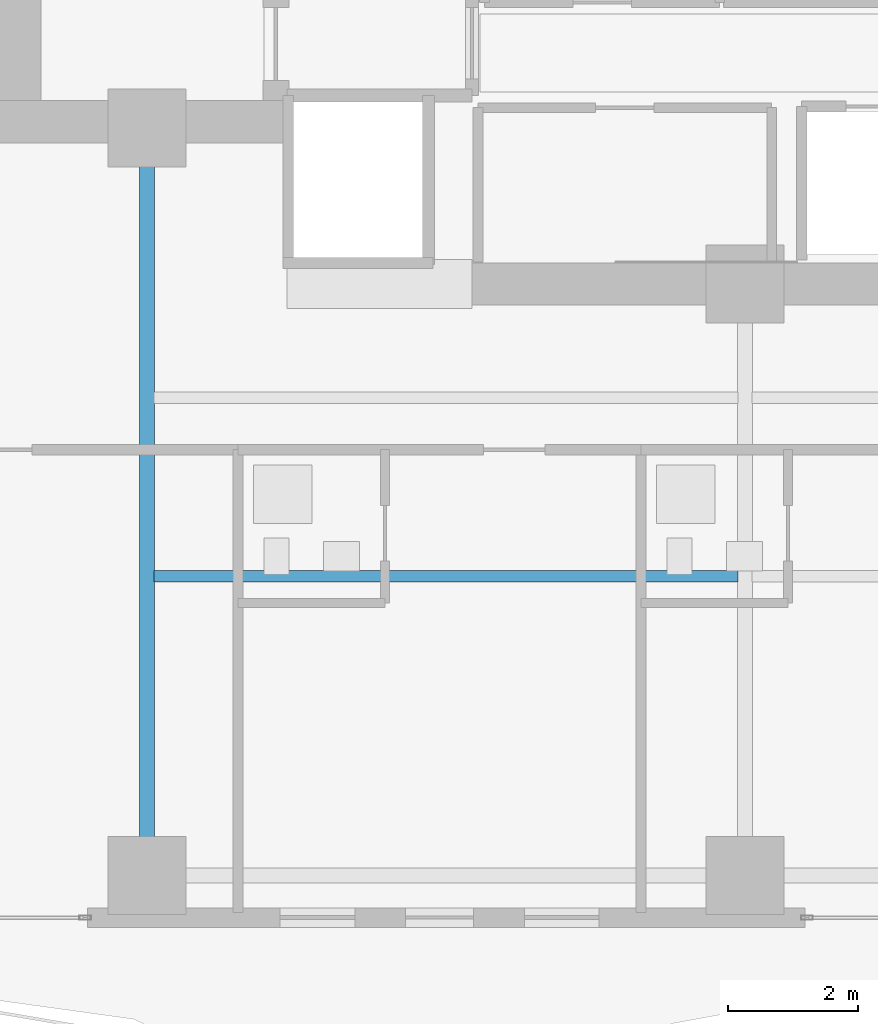
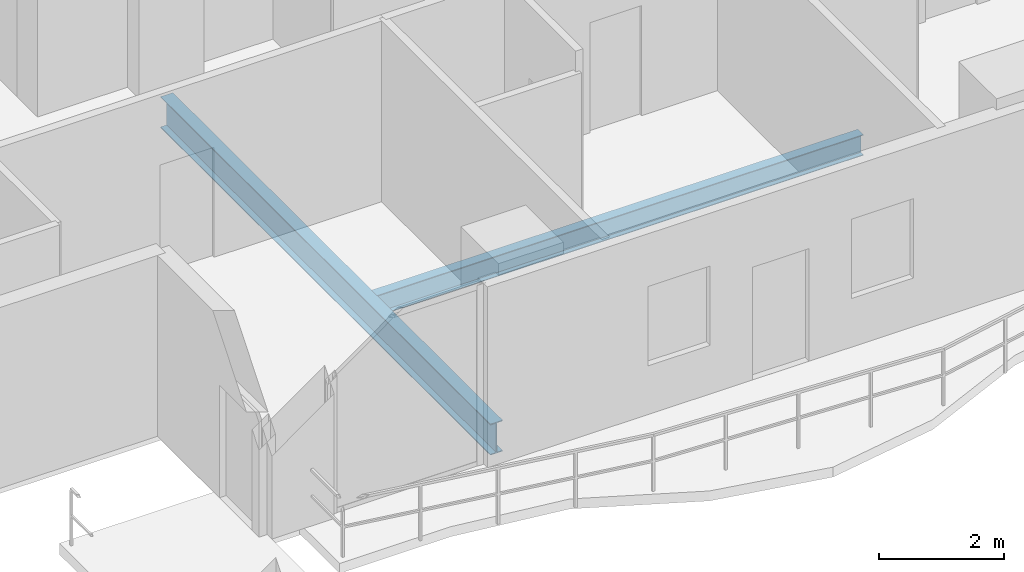
# One storey, part 3 of 32: 2 beams.
"""IFC4 building model written with IfcOpenShell, lengths in metres."""

from ifc_helpers import new_model, si_unit, direction, frame, origin, origin_2d, place, context, subcontext, project, spatial, i_section, extrude, material, material_profile, profile_set, type_object, element, save


model = new_model("IFC4")

# Units and contexts
model_context = context("Model", 3, precision=1e-05, world=origin(), true_north=direction((0.0, 1.0)))
body_context = subcontext(model_context, "Body", "Model", "MODEL_VIEW")
ifc_project = project(units=[si_unit("LENGTHUNIT", "METRE"), si_unit("AREAUNIT", "SQUARE_METRE"), si_unit("VOLUMEUNIT", "CUBIC_METRE"), si_unit("PLANEANGLEUNIT", "RADIAN"), si_unit("MASSUNIT", "GRAM", prefix="KILO")], contexts=[model_context])

# Site, building, storey
site_placement = place(None, origin())
site = spatial("IfcSite", under=ifc_project, at=site_placement, CompositionType="ELEMENT")
building_placement = place(site_placement, origin())
building = spatial("IfcBuilding", under=site, at=building_placement, Name="Zuhayl Quay Hotel", CompositionType="ELEMENT")
storey_placement = place(building_placement, frame((0.0, 0.0, 188.64990234375)))
storey = spatial("IfcBuildingStorey", under=building, at=storey_placement, Name="L47", CompositionType="ELEMENT", Elevation=188.64990234375)

# Beams
ifc_material = material(Name="Steel ASTM A992 Grade 50", Category="steel")
ifc_material_profile_1 = material_profile(ifc_material, i_section(OverallWidth=0.22802734375, OverallDepth=0.60693359375, WebThickness=0.01123046875, FlangeThickness=0.017333984375, at=origin_2d()), Name="W24X76")
ifc_profile_set_1 = profile_set([ifc_material_profile_1], Name="Steel ASTM A992 Grade 50")
beam_type_1 = type_object("IfcBeamType", Name="BM_B3_W24X76", PredefinedType="BEAM", material=ifc_profile_set_1)
beam_1_placement = place(storey_placement, frame((-13.800048828125, -6.449951171875, -0.5234375), z_axis=(0.0, 1.0, 0.0), x_axis=(-1.0, 0.0, 0.0)))
element("IfcBeam", 1, at=beam_1_placement, inside=storey, type_object=beam_type_1, Name="L47 Floor Beam FG_S_L47_1", PredefinedType="BEAM", context=body_context, shape_type="SweptSolid", body=[
    extrude(i_section(OverallWidth=0.22802734375, OverallDepth=0.60693359375, WebThickness=0.01123046875, FlangeThickness=0.017333984375, at=origin_2d()), origin(), (0.0, 0.0, 1.0), 10.550048828125),
])
ifc_material_profile_2 = material_profile(ifc_material, i_section(OverallWidth=0.177978515625, OverallDepth=0.406005859375, WebThickness=0.0078125, FlangeThickness=0.0126953125, at=origin_2d()), Name="W16X40")
ifc_profile_set_2 = profile_set([ifc_material_profile_2], Name="Steel ASTM A992 Grade 50")
beam_type_2 = type_object("IfcBeamType", Name="BM_J2B_W16X40", PredefinedType="JOIST", material=ifc_profile_set_2)
beam_2_placement = place(storey_placement, frame((-13.694091796875, -2.35009765625, -0.4228515625), z_axis=(1.0, 0.0, 0.0), x_axis=(0.0, 1.0, 0.0)))
element("IfcBeam", 2, at=beam_2_placement, inside=storey, type_object=beam_type_2, Name="L47 Floor Beam FJ_L47_7_1", PredefinedType="JOIST", context=body_context, shape_type="SweptSolid", body=[
    extrude(i_section(OverallWidth=0.177978515625, OverallDepth=0.406005859375, WebThickness=0.0078125, FlangeThickness=0.0126953125, at=origin_2d()), origin(), (0.0, 0.0, 1.0), 8.988037109375),
])

save(model, "model.ifc")
